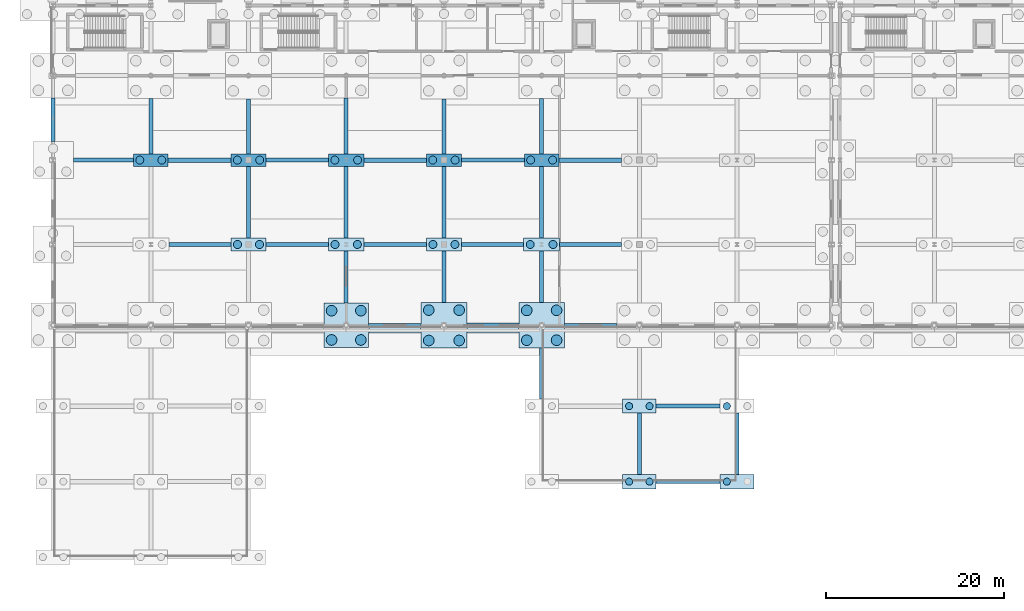
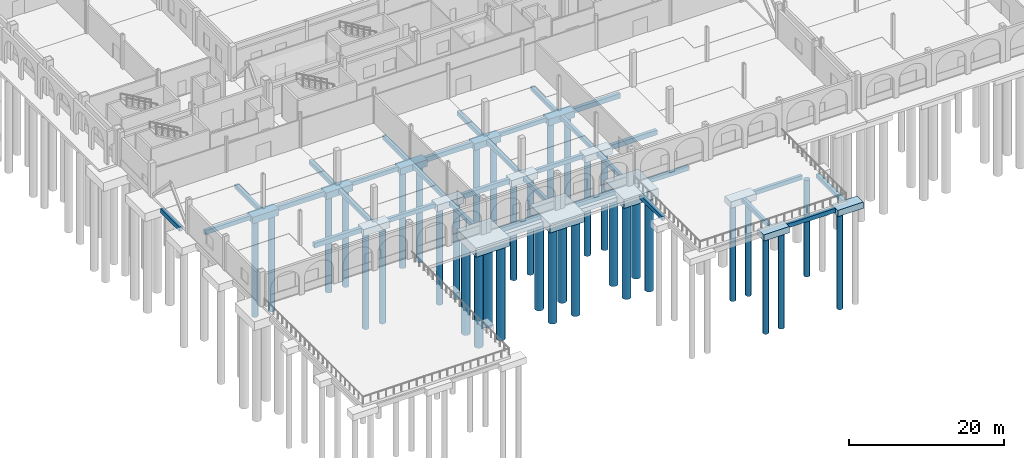
# One storey, part 2 of 83: 49 footings, 36 piles.
"""IFC4 building model written with IfcOpenShell, lengths in metres."""

from ifc_helpers import new_model, si_unit, direction, frame, origin, origin_2d, place, context, subcontext, project, spatial, polyline, circle, outline, extrude, material, material_profile, profile_set, type_object, element, save


model = new_model("IFC4")

# Units and contexts
model_context = context("Model", 3, precision=1e-05, world=origin(), true_north=direction((0.0, 1.0)))
body_context = subcontext(model_context, "Body", "Model", "MODEL_VIEW")
ifc_project = project(units=[si_unit("LENGTHUNIT", "METRE"), si_unit("AREAUNIT", "SQUARE_METRE"), si_unit("VOLUMEUNIT", "CUBIC_METRE"), si_unit("PLANEANGLEUNIT", "RADIAN"), si_unit("MASSUNIT", "GRAM", prefix="KILO")], contexts=[model_context])

# Site, building, storey
site_placement = place(None, origin())
site = spatial("IfcSite", under=ifc_project, at=site_placement, CompositionType="ELEMENT")
building_placement = place(site_placement, origin())
building = spatial("IfcBuilding", under=site, at=building_placement, Name="Caurita Quay Ferry Terminal", CompositionType="ELEMENT")
storey_placement = place(building_placement, origin())
storey = spatial("IfcBuildingStorey", under=building, at=storey_placement, Name="L00", CompositionType="ELEMENT", Elevation=0.0)

# Footings
ifc_material = material(Name="Marine reinforced concrete C40/50", Category="concrete")
footing_type_1 = type_object("IfcFootingType", Name="FTG-BM-01", PredefinedType="FOOTING_BEAM", material=ifc_material)
footing_1_placement = place(storey_placement, frame((0.0, 0.0, -1.14990234375)))
element("IfcFooting", 1, at=footing_1_placement, inside=storey, type_object=footing_type_1, Name="Seismic Tie Footing Beam FB-X-035", PredefinedType="FOOTING_BEAM", context=body_context, shape_type="SweptSolid", body=[
    extrude(outline(polyline([(46.574951171875, 34.35009765625), (52.449951171875, 34.35009765625), (52.449951171875, 34.85009765625), (46.574951171875, 34.85009765625), (46.574951171875, 34.35009765625)])), origin(), (0.0, 0.0, 1.0), 0.75),
])
footing_2_placement = place(storey_placement, frame((0.0, 0.0, -1.14990234375)))
element("IfcFooting", 2, at=footing_2_placement, inside=storey, type_object=footing_type_1, Name="Seismic Tie Footing Beam FB-X-043", PredefinedType="FOOTING_BEAM", context=body_context, shape_type="SweptSolid", body=[
    extrude(outline(polyline([(13.02490234375, 43.449951171875), (20.02490234375, 43.449951171875), (20.02490234375, 43.949951171875), (13.02490234375, 43.949951171875), (13.02490234375, 43.449951171875)])), origin(), (0.0, 0.0, 1.0), 0.75),
])
footing_3_placement = place(storey_placement, frame((0.0, 0.0, -1.14990234375)))
element("IfcFooting", 3, at=footing_3_placement, inside=storey, type_object=footing_type_1, Name="Seismic Tie Footing Beam FB-X-045", PredefinedType="FOOTING_BEAM", context=body_context, shape_type="SweptSolid", body=[
    extrude(outline(polyline([(35.0, 43.449951171875), (42.02490234375, 43.449951171875), (42.02490234375, 43.949951171875), (35.0, 43.949951171875), (35.0, 43.449951171875)])), origin(), (0.0, 0.0, 1.0), 0.75),
])
footing_4_placement = place(storey_placement, frame((0.0, 0.0, -1.14990234375)))
element("IfcFooting", 4, at=footing_4_placement, inside=storey, type_object=footing_type_1, Name="Seismic Tie Footing Beam FB-X-047", PredefinedType="FOOTING_BEAM", context=body_context, shape_type="SweptSolid", body=[
    extrude(outline(polyline([(57.02490234375, 43.449951171875), (64.0, 43.449951171875), (64.0, 43.949951171875), (57.02490234375, 43.949951171875), (57.02490234375, 43.449951171875)])), origin(), (0.0, 0.0, 1.0), 0.75),
])
footing_5_placement = place(storey_placement, frame((0.0, 0.0, -1.14990234375)))
element("IfcFooting", 5, at=footing_5_placement, inside=storey, type_object=footing_type_1, Name="Seismic Tie Footing Beam FB-X-059", PredefinedType="FOOTING_BEAM", context=body_context, shape_type="SweptSolid", body=[
    extrude(outline(polyline([(12.949951171875, 52.949951171875), (20.02490234375, 52.949951171875), (20.02490234375, 53.449951171875), (12.949951171875, 53.449951171875), (12.949951171875, 52.949951171875)])), origin(), (0.0, 0.0, 1.0), 0.75),
])
footing_6_placement = place(storey_placement, frame((0.0, 0.0, -1.14990234375)))
element("IfcFooting", 6, at=footing_6_placement, inside=storey, type_object=footing_type_1, Name="Seismic Tie Footing Beam FB-X-061", PredefinedType="FOOTING_BEAM", context=body_context, shape_type="SweptSolid", body=[
    extrude(outline(polyline([(35.0, 52.949951171875), (42.02490234375, 52.949951171875), (42.02490234375, 53.449951171875), (35.0, 53.449951171875), (35.0, 52.949951171875)])), origin(), (0.0, 0.0, 1.0), 0.75),
])
footing_7_placement = place(storey_placement, frame((0.0, 0.0, -1.14990234375)))
element("IfcFooting", 7, at=footing_7_placement, inside=storey, type_object=footing_type_1, Name="Seismic Tie Footing Beam FB-X-063", PredefinedType="FOOTING_BEAM", context=body_context, shape_type="SweptSolid", body=[
    extrude(outline(polyline([(56.949951171875, 52.949951171875), (64.0, 52.949951171875), (64.0, 53.449951171875), (56.949951171875, 53.449951171875), (56.949951171875, 52.949951171875)])), origin(), (0.0, 0.0, 1.0), 0.75),
])
footing_type_2 = type_object("IfcFootingType", Name="FTG-BM-02", PredefinedType="FOOTING_BEAM", material=ifc_material)
footing_8_placement = place(storey_placement, frame((0.0, 0.0, -1.050048828125)))
element("IfcFooting", 8, at=footing_8_placement, inside=storey, type_object=footing_type_2, Name="Seismic Tie Footing Beam FB-X-014", PredefinedType="FOOTING_BEAM", context=body_context, shape_type="SweptSolid", body=[
    extrude(outline(polyline([(67.89990234375, 16.77490234375), (75.10009765625, 16.77490234375), (75.10009765625, 17.22509765625), (67.89990234375, 17.22509765625), (67.89990234375, 16.77490234375)])), origin(), (0.0, 0.0, 1.0), 0.650146484375),
])
footing_9_placement = place(storey_placement, frame((0.0, 0.0, -1.050048828125)))
element("IfcFooting", 9, at=footing_9_placement, inside=storey, type_object=footing_type_2, Name="Seismic Tie Footing Beam FB-X-022", PredefinedType="FOOTING_BEAM", context=body_context, shape_type="SweptSolid", body=[
    extrude(outline(polyline([(67.89990234375, 25.27490234375), (75.10009765625, 25.27490234375), (75.10009765625, 25.72509765625), (67.89990234375, 25.72509765625), (67.89990234375, 25.27490234375)])), origin(), (0.0, 0.0, 1.0), 0.650146484375),
])
footing_10_placement = place(storey_placement, frame((0.0, 0.0, -1.050048828125)))
element("IfcFooting", 10, at=footing_10_placement, inside=storey, type_object=footing_type_2, Name="Seismic Tie Footing Beam FB-X-034", PredefinedType="FOOTING_BEAM", context=body_context, shape_type="SweptSolid", body=[
    extrude(outline(polyline([(35.5, 34.375), (41.425048828125, 34.375), (41.425048828125, 34.824951171875), (35.5, 34.824951171875), (35.5, 34.375)])), origin(), (0.0, 0.0, 1.0), 0.650146484375),
])
footing_11_placement = place(storey_placement, frame((0.0, 0.0, -1.050048828125)))
element("IfcFooting", 11, at=footing_11_placement, inside=storey, type_object=footing_type_2, Name="Seismic Tie Footing Beam FB-X-036", PredefinedType="FOOTING_BEAM", context=body_context, shape_type="SweptSolid", body=[
    extrude(outline(polyline([(57.550048828125, 34.375), (63.5, 34.375), (63.5, 34.824951171875), (57.550048828125, 34.824951171875), (57.550048828125, 34.375)])), origin(), (0.0, 0.0, 1.0), 0.650146484375),
])
footing_12_placement = place(storey_placement, frame((0.0, 0.0, -1.050048828125)))
element("IfcFooting", 12, at=footing_12_placement, inside=storey, type_object=footing_type_2, Name="Seismic Tie Footing Beam FB-X-044", PredefinedType="FOOTING_BEAM", context=body_context, shape_type="SweptSolid", body=[
    extrude(outline(polyline([(23.97509765625, 43.47509765625), (31.0, 43.47509765625), (31.0, 43.925048828125), (23.97509765625, 43.925048828125), (23.97509765625, 43.47509765625)])), origin(), (0.0, 0.0, 1.0), 0.650146484375),
])
footing_13_placement = place(storey_placement, frame((0.0, 0.0, -1.050048828125)))
element("IfcFooting", 13, at=footing_13_placement, inside=storey, type_object=footing_type_2, Name="Seismic Tie Footing Beam FB-X-046", PredefinedType="FOOTING_BEAM", context=body_context, shape_type="SweptSolid", body=[
    extrude(outline(polyline([(45.97509765625, 43.47509765625), (52.97509765625, 43.47509765625), (52.97509765625, 43.925048828125), (45.97509765625, 43.925048828125), (45.97509765625, 43.47509765625)])), origin(), (0.0, 0.0, 1.0), 0.650146484375),
])
footing_14_placement = place(storey_placement, frame((0.0, 0.0, -1.050048828125)))
element("IfcFooting", 14, at=footing_14_placement, inside=storey, type_object=footing_type_2, Name="Seismic Tie Footing Beam FB-X-058", PredefinedType="FOOTING_BEAM", context=body_context, shape_type="SweptSolid", body=[
    extrude(outline(polyline([(2.27490234375, 52.97509765625), (9.050048828125, 52.97509765625), (9.050048828125, 53.425048828125), (2.27490234375, 53.425048828125), (2.27490234375, 52.97509765625)])), origin(), (0.0, 0.0, 1.0), 0.650146484375),
])
footing_15_placement = place(storey_placement, frame((0.0, 0.0, -1.050048828125)))
element("IfcFooting", 15, at=footing_15_placement, inside=storey, type_object=footing_type_2, Name="Seismic Tie Footing Beam FB-X-060", PredefinedType="FOOTING_BEAM", context=body_context, shape_type="SweptSolid", body=[
    extrude(outline(polyline([(23.97509765625, 52.97509765625), (31.0, 52.97509765625), (31.0, 53.425048828125), (23.97509765625, 53.425048828125), (23.97509765625, 52.97509765625)])), origin(), (0.0, 0.0, 1.0), 0.650146484375),
])
footing_16_placement = place(storey_placement, frame((0.0, 0.0, -1.050048828125)))
element("IfcFooting", 16, at=footing_16_placement, inside=storey, type_object=footing_type_2, Name="Seismic Tie Footing Beam FB-X-062", PredefinedType="FOOTING_BEAM", context=body_context, shape_type="SweptSolid", body=[
    extrude(outline(polyline([(45.97509765625, 52.97509765625), (53.050048828125, 52.97509765625), (53.050048828125, 53.425048828125), (45.97509765625, 53.425048828125), (45.97509765625, 52.97509765625)])), origin(), (0.0, 0.0, 1.0), 0.650146484375),
])
footing_17_placement = place(storey_placement, frame((0.0, 0.0, -1.050048828125)))
element("IfcFooting", 17, at=footing_17_placement, inside=storey, type_object=footing_type_2, Name="Seismic Tie Footing Beam FB-Y-189", PredefinedType="FOOTING_BEAM", context=body_context, shape_type="SweptSolid", body=[
    extrude(outline(polyline([(-0.22509765625, 55.27490234375), (0.22509765625, 55.27490234375), (0.22509765625, 60.175048828125), (-0.22509765625, 60.175048828125), (-0.22509765625, 55.27490234375)])), origin(), (0.0, 0.0, 1.0), 0.650146484375),
])
footing_18_placement = place(storey_placement, frame((0.0, 0.0, -1.050048828125)))
element("IfcFooting", 18, at=footing_18_placement, inside=storey, type_object=footing_type_2, Name="Seismic Tie Footing Beam FB-Y-201", PredefinedType="FOOTING_BEAM", context=body_context, shape_type="SweptSolid", body=[
    extrude(outline(polyline([(10.77490234375, 53.89990234375), (11.22509765625, 53.89990234375), (11.22509765625, 60.125), (10.77490234375, 60.125), (10.77490234375, 53.89990234375)])), origin(), (0.0, 0.0, 1.0), 0.650146484375),
])
footing_19_placement = place(storey_placement, frame((0.0, 0.0, -1.050048828125)))
element("IfcFooting", 19, at=footing_19_placement, inside=storey, type_object=footing_type_2, Name="Seismic Tie Footing Beam FB-Y-212", PredefinedType="FOOTING_BEAM", context=body_context, shape_type="SweptSolid", body=[
    extrude(outline(polyline([(21.77490234375, 44.425048828125), (22.22509765625, 44.425048828125), (22.22509765625, 52.5), (21.77490234375, 52.5), (21.77490234375, 44.425048828125)])), origin(), (0.0, 0.0, 1.0), 0.650146484375),
])
footing_20_placement = place(storey_placement, frame((0.0, 0.0, -1.050048828125)))
element("IfcFooting", 20, at=footing_20_placement, inside=storey, type_object=footing_type_2, Name="Seismic Tie Footing Beam FB-Y-213", PredefinedType="FOOTING_BEAM", context=body_context, shape_type="SweptSolid", body=[
    extrude(outline(polyline([(21.77490234375, 53.89990234375), (22.22509765625, 53.89990234375), (22.22509765625, 60.10009765625), (21.77490234375, 60.10009765625), (21.77490234375, 53.89990234375)])), origin(), (0.0, 0.0, 1.0), 0.650146484375),
])
footing_21_placement = place(storey_placement, frame((0.0, 0.0, -1.050048828125)))
element("IfcFooting", 21, at=footing_21_placement, inside=storey, type_object=footing_type_2, Name="Seismic Tie Footing Beam FB-Y-220", PredefinedType="FOOTING_BEAM", context=body_context, shape_type="SweptSolid", body=[
    extrude(outline(polyline([(32.77490234375, 37.10009765625), (33.22509765625, 37.10009765625), (33.22509765625, 42.97509765625), (32.77490234375, 42.97509765625), (32.77490234375, 37.10009765625)])), origin(), (0.0, 0.0, 1.0), 0.650146484375),
])
footing_22_placement = place(storey_placement, frame((0.0, 0.0, -1.050048828125)))
element("IfcFooting", 22, at=footing_22_placement, inside=storey, type_object=footing_type_2, Name="Seismic Tie Footing Beam FB-Y-221", PredefinedType="FOOTING_BEAM", context=body_context, shape_type="SweptSolid", body=[
    extrude(outline(polyline([(32.77490234375, 44.425048828125), (33.22509765625, 44.425048828125), (33.22509765625, 52.5), (32.77490234375, 52.5), (32.77490234375, 44.425048828125)])), origin(), (0.0, 0.0, 1.0), 0.650146484375),
])
footing_23_placement = place(storey_placement, frame((0.0, 0.0, -1.050048828125)))
element("IfcFooting", 23, at=footing_23_placement, inside=storey, type_object=footing_type_2, Name="Seismic Tie Footing Beam FB-Y-222", PredefinedType="FOOTING_BEAM", context=body_context, shape_type="SweptSolid", body=[
    extrude(outline(polyline([(32.77490234375, 53.89990234375), (33.22509765625, 53.89990234375), (33.22509765625, 60.175048828125), (32.77490234375, 60.175048828125), (32.77490234375, 53.89990234375)])), origin(), (0.0, 0.0, 1.0), 0.650146484375),
])
footing_24_placement = place(storey_placement, frame((0.0, 0.0, -1.050048828125)))
element("IfcFooting", 24, at=footing_24_placement, inside=storey, type_object=footing_type_2, Name="Seismic Tie Footing Beam FB-Y-226", PredefinedType="FOOTING_BEAM", context=body_context, shape_type="SweptSolid", body=[
    extrude(outline(polyline([(43.77490234375, 37.175048828125), (44.22509765625, 37.175048828125), (44.22509765625, 42.97509765625), (43.77490234375, 42.97509765625), (43.77490234375, 37.175048828125)])), origin(), (0.0, 0.0, 1.0), 0.650146484375),
])
footing_25_placement = place(storey_placement, frame((0.0, 0.0, -1.050048828125)))
element("IfcFooting", 25, at=footing_25_placement, inside=storey, type_object=footing_type_2, Name="Seismic Tie Footing Beam FB-Y-227", PredefinedType="FOOTING_BEAM", context=body_context, shape_type="SweptSolid", body=[
    extrude(outline(polyline([(43.77490234375, 44.425048828125), (44.22509765625, 44.425048828125), (44.22509765625, 52.5), (43.77490234375, 52.5), (43.77490234375, 44.425048828125)])), origin(), (0.0, 0.0, 1.0), 0.650146484375),
])
footing_26_placement = place(storey_placement, frame((0.0, 0.0, -1.050048828125)))
element("IfcFooting", 26, at=footing_26_placement, inside=storey, type_object=footing_type_2, Name="Seismic Tie Footing Beam FB-Y-228", PredefinedType="FOOTING_BEAM", context=body_context, shape_type="SweptSolid", body=[
    extrude(outline(polyline([(43.77490234375, 53.89990234375), (44.22509765625, 53.89990234375), (44.22509765625, 60.10009765625), (43.77490234375, 60.10009765625), (43.77490234375, 53.89990234375)])), origin(), (0.0, 0.0, 1.0), 0.650146484375),
])
footing_27_placement = place(storey_placement, frame((0.0, 0.0, -1.050048828125)))
element("IfcFooting", 27, at=footing_27_placement, inside=storey, type_object=footing_type_2, Name="Seismic Tie Footing Beam FB-Y-233", PredefinedType="FOOTING_BEAM", context=body_context, shape_type="SweptSolid", body=[
    extrude(outline(polyline([(54.77490234375, 26.300048828125), (55.22509765625, 26.300048828125), (55.22509765625, 32.050048828125), (54.77490234375, 32.050048828125), (54.77490234375, 26.300048828125)])), origin(), (0.0, 0.0, 1.0), 0.650146484375),
])
footing_28_placement = place(storey_placement, frame((0.0, 0.0, -1.050048828125)))
element("IfcFooting", 28, at=footing_28_placement, inside=storey, type_object=footing_type_2, Name="Seismic Tie Footing Beam FB-Y-234", PredefinedType="FOOTING_BEAM", context=body_context, shape_type="SweptSolid", body=[
    extrude(outline(polyline([(54.77490234375, 37.14990234375), (55.22509765625, 37.14990234375), (55.22509765625, 42.97509765625), (54.77490234375, 42.97509765625), (54.77490234375, 37.14990234375)])), origin(), (0.0, 0.0, 1.0), 0.650146484375),
])
footing_29_placement = place(storey_placement, frame((0.0, 0.0, -1.050048828125)))
element("IfcFooting", 29, at=footing_29_placement, inside=storey, type_object=footing_type_2, Name="Seismic Tie Footing Beam FB-Y-235", PredefinedType="FOOTING_BEAM", context=body_context, shape_type="SweptSolid", body=[
    extrude(outline(polyline([(54.77490234375, 44.425048828125), (55.22509765625, 44.425048828125), (55.22509765625, 52.5), (54.77490234375, 52.5), (54.77490234375, 44.425048828125)])), origin(), (0.0, 0.0, 1.0), 0.650146484375),
])
footing_30_placement = place(storey_placement, frame((0.0, 0.0, -1.050048828125)))
element("IfcFooting", 30, at=footing_30_placement, inside=storey, type_object=footing_type_2, Name="Seismic Tie Footing Beam FB-Y-236", PredefinedType="FOOTING_BEAM", context=body_context, shape_type="SweptSolid", body=[
    extrude(outline(polyline([(54.77490234375, 53.89990234375), (55.22509765625, 53.89990234375), (55.22509765625, 60.125), (54.77490234375, 60.125), (54.77490234375, 53.89990234375)])), origin(), (0.0, 0.0, 1.0), 0.650146484375),
])
footing_31_placement = place(storey_placement, frame((0.0, 0.0, -1.050048828125)))
element("IfcFooting", 31, at=footing_31_placement, inside=storey, type_object=footing_type_2, Name="Seismic Tie Footing Beam FB-Y-240", PredefinedType="FOOTING_BEAM", context=body_context, shape_type="SweptSolid", body=[
    extrude(outline(polyline([(65.77490234375, 17.800048828125), (66.22509765625, 17.800048828125), (66.22509765625, 24.699951171875), (65.77490234375, 24.699951171875), (65.77490234375, 17.800048828125)])), origin(), (0.0, 0.0, 1.0), 0.650146484375),
])
footing_32_placement = place(storey_placement, frame((0.0, 0.0, -1.050048828125)))
element("IfcFooting", 32, at=footing_32_placement, inside=storey, type_object=footing_type_2, Name="Seismic Tie Footing Beam FB-Y-251", PredefinedType="FOOTING_BEAM", context=body_context, shape_type="SweptSolid", body=[
    extrude(outline(polyline([(76.77490234375, 17.800048828125), (77.22509765625, 17.800048828125), (77.22509765625, 24.699951171875), (76.77490234375, 24.699951171875), (76.77490234375, 17.800048828125)])), origin(), (0.0, 0.0, 1.0), 0.650146484375),
])
footing_type_3 = type_object("IfcFootingType", Name="FTG-PC-01", PredefinedType="PILE_CAP", material=ifc_material)
footing_33_placement = place(storey_placement, frame((0.0, 0.0, -1.800048828125)))
element("IfcFooting", 33, at=footing_33_placement, inside=storey, type_object=footing_type_3, Name="Pile Cap PC-031", PredefinedType="PILE_CAP", context=body_context, shape_type="SweptSolid", body=[
    extrude(outline(polyline([(30.5, 32.10009765625), (35.5, 32.10009765625), (35.5, 37.10009765625), (30.5, 37.10009765625), (30.5, 32.10009765625)])), origin(), (0.0, 0.0, 1.0), 1.400146484375),
])
footing_type_4 = type_object("IfcFootingType", Name="FTG-PC-11", PredefinedType="PILE_CAP", material=ifc_material)
footing_34_placement = place(storey_placement, frame((0.0, 0.0, -1.800048828125)))
element("IfcFooting", 34, at=footing_34_placement, inside=storey, type_object=footing_type_4, Name="Pile Cap PC-047", PredefinedType="PILE_CAP", context=body_context, shape_type="SweptSolid", body=[
    extrude(outline(polyline([(52.449951171875, 32.050048828125), (57.550048828125, 32.050048828125), (57.550048828125, 37.14990234375), (52.449951171875, 37.14990234375), (52.449951171875, 32.050048828125)])), origin(), (0.0, 0.0, 1.0), 1.400146484375),
])
footing_type_5 = type_object("IfcFootingType", Name="FTG-PC-12", PredefinedType="PILE_CAP", material=ifc_material)
footing_35_placement = place(storey_placement, frame((0.0, 0.0, -1.449951171875)))
element("IfcFooting", 35, at=footing_35_placement, inside=storey, type_object=footing_type_5, Name="Pile Cap PC-048", PredefinedType="PILE_CAP", context=body_context, shape_type="SweptSolid", body=[
    extrude(outline(polyline([(52.97509765625, 42.97509765625), (57.02490234375, 42.97509765625), (57.02490234375, 44.425048828125), (52.97509765625, 44.425048828125), (52.97509765625, 42.97509765625)])), origin(), (0.0, 0.0, 1.0), 1.050048828125),
])
footing_type_6 = type_object("IfcFootingType", Name="FTG-PC-13", PredefinedType="PILE_CAP", material=ifc_material)
footing_36_placement = place(storey_placement, frame((0.0, 0.0, -1.449951171875)))
element("IfcFooting", 36, at=footing_36_placement, inside=storey, type_object=footing_type_6, Name="Pile Cap PC-013", PredefinedType="PILE_CAP", context=body_context, shape_type="SweptSolid", body=[
    extrude(outline(polyline([(9.050048828125, 52.5), (12.949951171875, 52.5), (12.949951171875, 53.89990234375), (9.050048828125, 53.89990234375), (9.050048828125, 52.5)])), origin(), (0.0, 0.0, 1.0), 1.050048828125),
])
footing_37_placement = place(storey_placement, frame((0.0, 0.0, -1.449951171875)))
element("IfcFooting", 37, at=footing_37_placement, inside=storey, type_object=footing_type_6, Name="Pile Cap PC-049", PredefinedType="PILE_CAP", context=body_context, shape_type="SweptSolid", body=[
    extrude(outline(polyline([(53.050048828125, 52.5), (56.949951171875, 52.5), (56.949951171875, 53.89990234375), (53.050048828125, 53.89990234375), (53.050048828125, 52.5)])), origin(), (0.0, 0.0, 1.0), 1.050048828125),
])
footing_type_7 = type_object("IfcFootingType", Name="FTG-PC-17", PredefinedType="PILE_CAP", material=ifc_material)
footing_38_placement = place(storey_placement, frame((0.0, 0.0, -1.800048828125)))
element("IfcFooting", 38, at=footing_38_placement, inside=storey, type_object=footing_type_7, Name="Pile Cap PC-039", PredefinedType="PILE_CAP", context=body_context, shape_type="SweptSolid", body=[
    extrude(outline(polyline([(41.425048828125, 32.02490234375), (46.574951171875, 32.02490234375), (46.574951171875, 37.175048828125), (41.425048828125, 37.175048828125), (41.425048828125, 32.02490234375)])), origin(), (0.0, 0.0, 1.0), 1.400146484375),
])
footing_type_8 = type_object("IfcFootingType", Name="FTG-PC-18", PredefinedType="PILE_CAP", material=ifc_material)
footing_39_placement = place(storey_placement, frame((0.0, 0.0, -1.449951171875)))
element("IfcFooting", 39, at=footing_39_placement, inside=storey, type_object=footing_type_8, Name="Pile Cap PC-022", PredefinedType="PILE_CAP", context=body_context, shape_type="SweptSolid", body=[
    extrude(outline(polyline([(20.02490234375, 42.97509765625), (23.97509765625, 42.97509765625), (23.97509765625, 44.425048828125), (20.02490234375, 44.425048828125), (20.02490234375, 42.97509765625)])), origin(), (0.0, 0.0, 1.0), 1.050048828125),
])
footing_40_placement = place(storey_placement, frame((0.0, 0.0, -1.449951171875)))
element("IfcFooting", 40, at=footing_40_placement, inside=storey, type_object=footing_type_8, Name="Pile Cap PC-040", PredefinedType="PILE_CAP", context=body_context, shape_type="SweptSolid", body=[
    extrude(outline(polyline([(42.02490234375, 42.97509765625), (45.97509765625, 42.97509765625), (45.97509765625, 44.425048828125), (42.02490234375, 44.425048828125), (42.02490234375, 42.97509765625)])), origin(), (0.0, 0.0, 1.0), 1.050048828125),
])
footing_type_9 = type_object("IfcFootingType", Name="FTG-PC-19", PredefinedType="PILE_CAP", material=ifc_material)
footing_41_placement = place(storey_placement, frame((0.0, 0.0, -1.449951171875)))
element("IfcFooting", 41, at=footing_41_placement, inside=storey, type_object=footing_type_9, Name="Pile Cap PC-023", PredefinedType="PILE_CAP", context=body_context, shape_type="SweptSolid", body=[
    extrude(outline(polyline([(20.02490234375, 52.5), (23.97509765625, 52.5), (23.97509765625, 53.89990234375), (20.02490234375, 53.89990234375), (20.02490234375, 52.5)])), origin(), (0.0, 0.0, 1.0), 1.050048828125),
])
footing_42_placement = place(storey_placement, frame((0.0, 0.0, -1.449951171875)))
element("IfcFooting", 42, at=footing_42_placement, inside=storey, type_object=footing_type_9, Name="Pile Cap PC-041", PredefinedType="PILE_CAP", context=body_context, shape_type="SweptSolid", body=[
    extrude(outline(polyline([(42.02490234375, 52.5), (45.97509765625, 52.5), (45.97509765625, 53.89990234375), (42.02490234375, 53.89990234375), (42.02490234375, 52.5)])), origin(), (0.0, 0.0, 1.0), 1.050048828125),
])
footing_type_10 = type_object("IfcFootingType", Name="FTG-PC-22", PredefinedType="PILE_CAP", material=ifc_material)
footing_43_placement = place(storey_placement, frame((0.0, 0.0, -1.449951171875)))
element("IfcFooting", 43, at=footing_43_placement, inside=storey, type_object=footing_type_10, Name="Pile Cap PC-032", PredefinedType="PILE_CAP", context=body_context, shape_type="SweptSolid", body=[
    extrude(outline(polyline([(31.0, 42.97509765625), (35.0, 42.97509765625), (35.0, 44.425048828125), (31.0, 44.425048828125), (31.0, 42.97509765625)])), origin(), (0.0, 0.0, 1.0), 1.050048828125),
])
footing_type_11 = type_object("IfcFootingType", Name="FTG-PC-23", PredefinedType="PILE_CAP", material=ifc_material)
footing_44_placement = place(storey_placement, frame((0.0, 0.0, -1.449951171875)))
element("IfcFooting", 44, at=footing_44_placement, inside=storey, type_object=footing_type_11, Name="Pile Cap PC-033", PredefinedType="PILE_CAP", context=body_context, shape_type="SweptSolid", body=[
    extrude(outline(polyline([(31.0, 52.5), (35.0, 52.5), (35.0, 53.89990234375), (31.0, 53.89990234375), (31.0, 52.5)])), origin(), (0.0, 0.0, 1.0), 1.050048828125),
])
footing_type_12 = type_object("IfcFootingType", Name="FTG-PC-PIER", PredefinedType="PILE_CAP", material=ifc_material)
footing_45_placement = place(storey_placement, frame((0.0, 0.0, -1.39990234375)))
element("IfcFooting", 45, at=footing_45_placement, inside=storey, type_object=footing_type_12, Name="Marine Pier Pile Cap PC-PR-12", PredefinedType="PILE_CAP", context=body_context, shape_type="SweptSolid", body=[
    extrude(outline(polyline([(64.10009765625, 16.199951171875), (67.89990234375, 16.199951171875), (67.89990234375, 17.800048828125), (64.10009765625, 17.800048828125), (64.10009765625, 16.199951171875)])), origin(), (0.0, 0.0, 1.0), 1.0),
])
footing_46_placement = place(storey_placement, frame((0.0, 0.0, -1.39990234375)))
element("IfcFooting", 46, at=footing_46_placement, inside=storey, type_object=footing_type_12, Name="Marine Pier Pile Cap PC-PR-13", PredefinedType="PILE_CAP", context=body_context, shape_type="SweptSolid", body=[
    extrude(outline(polyline([(64.10009765625, 24.699951171875), (67.89990234375, 24.699951171875), (67.89990234375, 26.300048828125), (64.10009765625, 26.300048828125), (64.10009765625, 24.699951171875)])), origin(), (0.0, 0.0, 1.0), 1.0),
])
footing_47_placement = place(storey_placement, frame((0.0, 0.0, -1.39990234375)))
element("IfcFooting", 47, at=footing_47_placement, inside=storey, type_object=footing_type_12, Name="Marine Pier Pile Cap PC-PR-14", PredefinedType="PILE_CAP", context=body_context, shape_type="SweptSolid", body=[
    extrude(outline(polyline([(75.10009765625, 16.199951171875), (78.89990234375, 16.199951171875), (78.89990234375, 17.800048828125), (75.10009765625, 17.800048828125), (75.10009765625, 16.199951171875)])), origin(), (0.0, 0.0, 1.0), 1.0),
])
footing_type_13 = type_object("IfcFootingType", Name="FTG-STR-01", PredefinedType="STRIP_FOOTING", material=ifc_material)
footing_48_placement = place(storey_placement, frame((0.0, 0.0, -1.64990234375)))
element("IfcFooting", 48, at=footing_48_placement, inside=storey, type_object=footing_type_13, Name="Marine Seawall Strip Footing SF-04", PredefinedType="STRIP_FOOTING", context=body_context, shape_type="SweptSolid", body=[
    extrude(outline(polyline([(35.5400390625, 33.75), (41.385009765625, 33.75), (41.385009765625, 34.64990234375), (35.5400390625, 34.64990234375), (35.5400390625, 33.75)])), origin(), (0.0, 0.0, 1.0), 0.64990234375),
])
footing_49_placement = place(storey_placement, frame((0.0, 0.0, -1.64990234375)))
element("IfcFooting", 49, at=footing_49_placement, inside=storey, type_object=footing_type_13, Name="Marine Seawall Strip Footing SF-05", PredefinedType="STRIP_FOOTING", context=body_context, shape_type="SweptSolid", body=[
    extrude(outline(polyline([(46.614990234375, 33.75), (52.409912109375, 33.75), (52.409912109375, 34.64990234375), (46.614990234375, 34.64990234375), (46.614990234375, 33.75)])), origin(), (0.0, 0.0, 1.0), 0.64990234375),
])

# Piles
ifc_material_profile_1 = material_profile(ifc_material, circle(Radius=0.60009765625, at=origin_2d()), Name="PILE-D1200")
ifc_profile_set_1 = profile_set([ifc_material_profile_1], Name="Marine reinforced concrete C40/50")
pile_type_1 = type_object("IfcPileType", Name="TYPE-PL-1200", PredefinedType="BORED", material=ifc_profile_set_1)
for number, where, z_axis, x_axis, name in (
    (50, (31.35009765625, 32.949951171875, -1.699951171875), (0.0, 0.0, -1.0), (1.0, 0.0, 0.0), "Bored Marine Pile PC-031-P1"),
    (51, (34.64990234375, 32.949951171875, -1.699951171875), (0.0, 0.0, -1.0), (1.0, 0.0, 0.0), "Bored Marine Pile PC-031-P2"),
    (52, (31.35009765625, 36.25, -1.699951171875), (0.0, 0.0, -1.0), (1.0, 0.0, 0.0), "Bored Marine Pile PC-031-P3"),
    (53, (34.64990234375, 36.25, -1.699951171875), (0.0, 0.0, -1.0), (1.0, 0.0, 0.0), "Bored Marine Pile PC-031-P4"),
    (54, (42.2900390625, 32.889892578125, -1.699951171875), (0.0, 0.0, -1.0), (1.0, 0.0, 0.0), "Bored Marine Pile PC-039-P1"),
    (55, (45.7099609375, 32.889892578125, -1.699951171875), (0.0, 0.0, -1.0), (1.0, 0.0, 0.0), "Bored Marine Pile PC-039-P2"),
    (56, (42.2900390625, 36.31005859375, -1.699951171875), (0.0, 0.0, -1.0), (1.0, 0.0, 0.0), "Bored Marine Pile PC-039-P3"),
    (57, (45.7099609375, 36.31005859375, -1.699951171875), (0.0, 0.0, -1.0), (1.0, 0.0, 0.0), "Bored Marine Pile PC-039-P4"),
    (58, (53.320068359375, 32.919921875, -1.699951171875), (0.0, 0.0, -1.0), (1.0, 0.0, 0.0), "Bored Marine Pile PC-047-P1"),
    (59, (56.679931640625, 32.919921875, -1.699951171875), (0.0, 0.0, -1.0), (1.0, 0.0, 0.0), "Bored Marine Pile PC-047-P2"),
    (60, (53.320068359375, 36.280029296875, -1.699951171875), (0.0, 0.0, -1.0), (1.0, 0.0, 0.0), "Bored Marine Pile PC-047-P3"),
    (61, (56.679931640625, 36.280029296875, -1.699951171875), (0.0, 0.0, -1.0), (1.0, 0.0, 0.0), "Bored Marine Pile PC-047-P4"),
):
    element("IfcPile", number, at=place(storey_placement, frame(where, z_axis=z_axis, x_axis=x_axis)), inside=storey, type_object=pile_type_1, Name=name, PredefinedType="BORED", context=body_context, shape_type="SweptSolid", body=[
        extrude(circle(Radius=0.60009765625, at=origin_2d()), origin(), (0.0, 0.0, 1.0), 14.800048828125),
    ])
ifc_material_profile_2 = material_profile(ifc_material, circle(Radius=0.39990234375, at=origin_2d()), Name="PILE-D800")
ifc_profile_set_2 = profile_set([ifc_material_profile_2], Name="Marine reinforced concrete C40/50")
pile_type_2 = type_object("IfcPileType", Name="TYPE-PL-800", PredefinedType="BORED", material=ifc_profile_set_2)
for number, where, z_axis, x_axis, name in (
    (62, (64.85009765625, 17.0, -1.300048828125), (0.0, 0.0, -1.0), (1.0, 0.0, 0.0), "Marine Pier Bored Pile PC-PR-12-P1"),
    (63, (67.14990234375, 17.0, -1.300048828125), (0.0, 0.0, -1.0), (1.0, 0.0, 0.0), "Marine Pier Bored Pile PC-PR-12-P2"),
    (64, (64.85009765625, 25.5, -1.300048828125), (0.0, 0.0, -1.0), (1.0, 0.0, 0.0), "Marine Pier Bored Pile PC-PR-13-P1"),
    (65, (67.14990234375, 25.5, -1.300048828125), (0.0, 0.0, -1.0), (1.0, 0.0, 0.0), "Marine Pier Bored Pile PC-PR-13-P2"),
    (66, (75.85009765625, 17.0, -1.300048828125), (0.0, 0.0, -1.0), (1.0, 0.0, 0.0), "Marine Pier Bored Pile PC-PR-14-P1"),
    (67, (75.85009765625, 25.5, -1.300048828125), (0.0, 0.0, -1.0), (1.0, 0.0, 0.0), "Marine Pier Bored Pile PC-PR-15-P1"),
):
    element("IfcPile", number, at=place(storey_placement, frame(where, z_axis=z_axis, x_axis=x_axis)), inside=storey, type_object=pile_type_2, Name=name, PredefinedType="BORED", context=body_context, shape_type="SweptSolid", body=[
        extrude(circle(Radius=0.39990234375, at=origin_2d()), origin(), (0.0, 0.0, 1.0), 15.199951171875),
    ])
ifc_material_profile_3 = material_profile(ifc_material, circle(Radius=0.449951171875, at=origin_2d()), Name="PILE-D900")
ifc_profile_set_3 = profile_set([ifc_material_profile_3], Name="Marine reinforced concrete C40/50")
pile_type_3 = type_object("IfcPileType", Name="TYPE-PL-900", PredefinedType="BORED", material=ifc_profile_set_3)
for number, where, z_axis, x_axis, name in (
    (68, (9.761962890625, 53.199951171875, -1.35009765625), (0.0, 0.0, -1.0), (1.0, 0.0, 0.0), "Bored Marine Pile PC-013-P1"),
    (69, (12.238037109375, 53.199951171875, -1.35009765625), (0.0, 0.0, -1.0), (1.0, 0.0, 0.0), "Bored Marine Pile PC-013-P2"),
    (70, (20.761962890625, 43.699951171875, -1.35009765625), (0.0, 0.0, -1.0), (1.0, 0.0, 0.0), "Bored Marine Pile PC-022-P1"),
    (71, (23.238037109375, 43.699951171875, -1.35009765625), (0.0, 0.0, -1.0), (1.0, 0.0, 0.0), "Bored Marine Pile PC-022-P2"),
    (72, (20.739990234375, 53.199951171875, -1.35009765625), (0.0, 0.0, -1.0), (1.0, 0.0, 0.0), "Bored Marine Pile PC-023-P1"),
    (73, (23.260009765625, 53.199951171875, -1.35009765625), (0.0, 0.0, -1.0), (1.0, 0.0, 0.0), "Bored Marine Pile PC-023-P2"),
    (74, (31.739990234375, 43.699951171875, -1.35009765625), (0.0, 0.0, -1.0), (1.0, 0.0, 0.0), "Bored Marine Pile PC-032-P1"),
    (75, (34.260009765625, 43.699951171875, -1.35009765625), (0.0, 0.0, -1.0), (1.0, 0.0, 0.0), "Bored Marine Pile PC-032-P2"),
    (76, (31.718017578125, 53.199951171875, -1.35009765625), (0.0, 0.0, -1.0), (1.0, 0.0, 0.0), "Bored Marine Pile PC-033-P1"),
    (77, (34.281982421875, 53.199951171875, -1.35009765625), (0.0, 0.0, -1.0), (1.0, 0.0, 0.0), "Bored Marine Pile PC-033-P2"),
    (78, (42.762939453125, 43.699951171875, -1.35009765625), (0.0, 0.0, -1.0), (1.0, 0.0, 0.0), "Bored Marine Pile PC-040-P1"),
    (79, (45.237060546875, 43.699951171875, -1.35009765625), (0.0, 0.0, -1.0), (1.0, 0.0, 0.0), "Bored Marine Pile PC-040-P2"),
    (80, (42.739990234375, 53.199951171875, -1.35009765625), (0.0, 0.0, -1.0), (1.0, 0.0, 0.0), "Bored Marine Pile PC-041-P1"),
    (81, (45.260009765625, 53.199951171875, -1.35009765625), (0.0, 0.0, -1.0), (1.0, 0.0, 0.0), "Bored Marine Pile PC-041-P2"),
    (82, (53.718017578125, 43.699951171875, -1.35009765625), (0.0, 0.0, -1.0), (1.0, 0.0, 0.0), "Bored Marine Pile PC-048-P1"),
    (83, (56.281982421875, 43.699951171875, -1.35009765625), (0.0, 0.0, -1.0), (1.0, 0.0, 0.0), "Bored Marine Pile PC-048-P2"),
    (84, (53.762939453125, 53.199951171875, -1.35009765625), (0.0, 0.0, -1.0), (1.0, 0.0, 0.0), "Bored Marine Pile PC-049-P1"),
    (85, (56.237060546875, 53.199951171875, -1.35009765625), (0.0, 0.0, -1.0), (1.0, 0.0, 0.0), "Bored Marine Pile PC-049-P2"),
):
    element("IfcPile", number, at=place(storey_placement, frame(where, z_axis=z_axis, x_axis=x_axis)), inside=storey, type_object=pile_type_3, Name=name, PredefinedType="BORED", context=body_context, shape_type="SweptSolid", body=[
        extrude(circle(Radius=0.449951171875, at=origin_2d()), origin(), (0.0, 0.0, 1.0), 15.14990234375),
    ])

save(model, "model.ifc")
